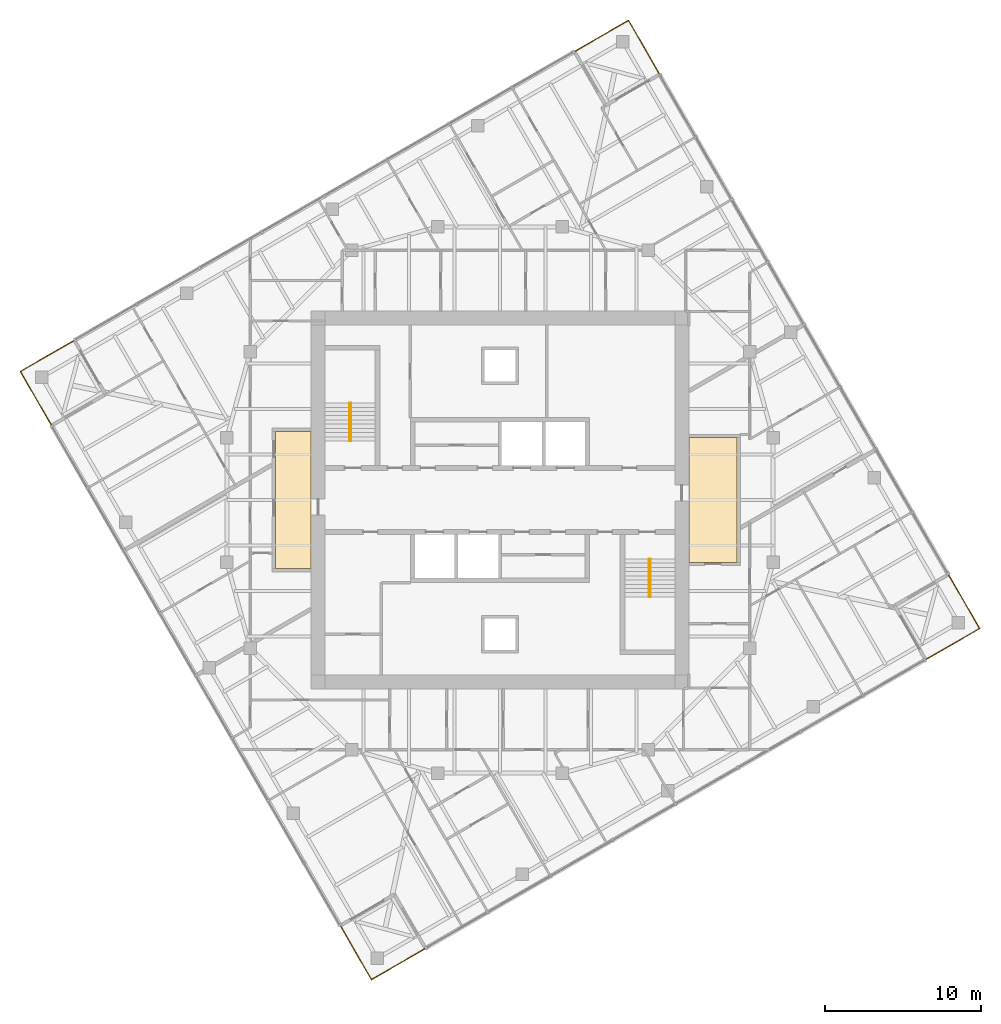
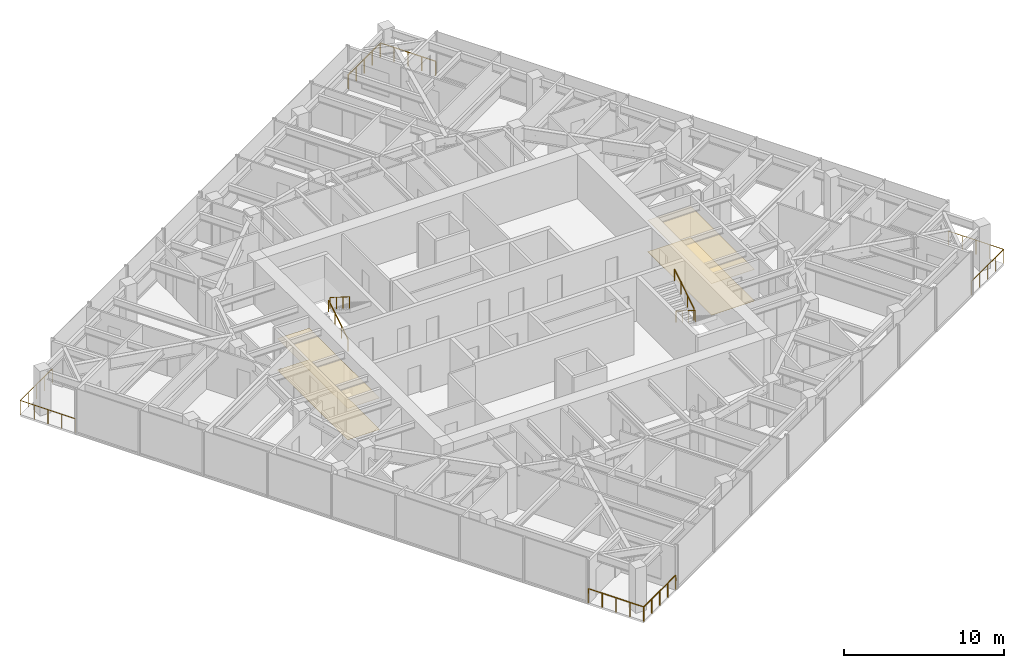
# One storey, part 12 of 12: 8 railings, 4 coverings, 2 elements without a shape of their own.
"""IFC4 building model written with IfcOpenShell, lengths in metres."""

from ifc_helpers import new_model, si_unit, direction, frame, origin, origin_2d, place, context, subcontext, project, spatial, polyline, circle, outline, extrude, material, layer, layer_set, type_object, element, aggregate, save


model = new_model("IFC4")

# Units and contexts
model_context = context("Model", 3, precision=1e-05, world=origin(), true_north=direction((0.0, 1.0)))
body_context = subcontext(model_context, "Body", "Model", "MODEL_VIEW")
ifc_project = project(units=[si_unit("LENGTHUNIT", "METRE"), si_unit("AREAUNIT", "SQUARE_METRE"), si_unit("VOLUMEUNIT", "CUBIC_METRE"), si_unit("PLANEANGLEUNIT", "RADIAN"), si_unit("MASSUNIT", "GRAM", prefix="KILO")], contexts=[model_context])

# Site, building, storey
site_placement = place(None, origin())
site = spatial("IfcSite", under=ifc_project, at=site_placement, CompositionType="ELEMENT")
building_placement = place(site_placement, origin())
building = spatial("IfcBuilding", under=site, at=building_placement, Name="Torsade Residences", CompositionType="ELEMENT")
storey_placement = place(building_placement, frame((0.0, 0.0, 221.800048828125)))
storey = spatial("IfcBuildingStorey", under=building, at=storey_placement, Name="L61", CompositionType="ELEMENT", Elevation=221.800048828125)

# Coverings
ifc_material_1 = material(Name="Nylon carpet tile on underlay", Category="textile")
ifc_layer_1 = layer(ifc_material_1, 0.010009765625)
ifc_layer_set_1 = layer_set([ifc_layer_1], Name="Nylon carpet tile on underlay")
covering_type_1 = type_object("IfcCoveringType", Name="CORRIDOR CARPET TILE 10", PredefinedType="FLOORING", material=ifc_layer_set_1)
covering_1_placement = place(storey_placement, origin())
element("IfcCovering", 1, at=covering_1_placement, inside=storey, type_object=covering_type_1, Name="Corridor carpet L61", PredefinedType="FLOORING", context=body_context, shape_type="SweptSolid", body=[
    extrude(outline(polyline([(55.199951171875, 26.0), (55.199951171875, 34.0), (52.10009765625, 34.0), (52.10009765625, 26.0), (55.199951171875, 26.0)])), origin(), (0.0, 0.0, 1.0), 0.010009765625),
])
covering_2_placement = place(storey_placement, origin())
element("IfcCovering", 2, at=covering_2_placement, inside=storey, type_object=covering_type_1, Name="Corridor carpet west L61", PredefinedType="FLOORING", context=body_context, shape_type="SweptSolid", body=[
    extrude(outline(polyline([(27.89990234375, 25.60009765625), (27.89990234375, 34.39990234375), (25.60009765625, 34.39990234375), (25.60009765625, 25.60009765625), (27.89990234375, 25.60009765625)])), origin(), (0.0, 0.0, 1.0), 0.010009765625),
])
ifc_material_2 = material(Name="Plasterboard on suspended steel grid", Category="steel")
ifc_layer_2 = layer(ifc_material_2, 0.012939453125)
ifc_layer_set_2 = layer_set([ifc_layer_2], Name="Plasterboard on suspended steel grid")
covering_type_2 = type_object("IfcCoveringType", Name="CORRIDOR SUSPENDED CEILING 13", PredefinedType="CEILING", material=ifc_layer_set_2)
covering_3_placement = place(storey_placement, frame((0.0, 0.0, 2.39990234375)))
element("IfcCovering", 3, at=covering_3_placement, inside=storey, type_object=covering_type_2, Name="Corridor ceiling L61", PredefinedType="CEILING", context=body_context, shape_type="SweptSolid", body=[
    extrude(outline(polyline([(55.199951171875, 26.0), (55.199951171875, 34.0), (52.10009765625, 34.0), (52.10009765625, 26.0), (55.199951171875, 26.0)])), origin(), (0.0, 0.0, 1.0), 0.012939453125),
])
covering_4_placement = place(storey_placement, frame((0.0, 0.0, 2.39990234375)))
element("IfcCovering", 4, at=covering_4_placement, inside=storey, type_object=covering_type_2, Name="Corridor ceiling west L61", PredefinedType="CEILING", context=body_context, shape_type="SweptSolid", body=[
    extrude(outline(polyline([(27.89990234375, 25.60009765625), (27.89990234375, 34.39990234375), (25.60009765625, 34.39990234375), (25.60009765625, 25.60009765625), (27.89990234375, 25.60009765625)])), origin(), (0.0, 0.0, 1.0), 0.012939453125),
])

# Stair, railings
ifc_material_3 = material(Name="Precast concrete 40 MPa", Category="concrete")
stair_type = type_object("IfcStairType", Name="HALF-TURN FIRE STAIR 1500x3400", PredefinedType="HALF_TURN_STAIR", material=ifc_material_3)
stair_1_placement = place(storey_placement, origin())
stair_1 = element("IfcStair", 5, at=stair_1_placement, inside=storey, type_object=stair_type, Name="Stair ST1 L61", PredefinedType="HALF_TURN_STAIR")
ifc_material_4 = material(Name="Steel handrail", Category="steel")
railing_type_1 = type_object("IfcRailingType", Name="STAIR HANDRAIL 900", PredefinedType="HANDRAIL", material=ifc_material_4)
railing_1_placement = place(storey_placement, frame((30.35009765625, 33.780029296875, 0.169921875)))
railing_1 = element("IfcRailing", 6, at=railing_1_placement, type_object=railing_type_1, Name="Handrail ST1 flight 1 L61", PredefinedType="HANDRAIL", context=body_context, shape_type="SweptSolid", body=[
    extrude(circle(Radius=0.02392578125, at=origin_2d()), frame((0.0, 0.0, 0.8759765625), z_axis=(0.0, 0.846221481393, 0.532831309544), x_axis=(-1.0, 0.0, 0.0)), (0.0, 0.0, 1.0), 2.87158203125),
    extrude(circle(Radius=0.02099609375, at=origin_2d()), origin(), (0.0, 0.0, 1.0), 0.851806640625),
    extrude(circle(Radius=0.02099609375, at=origin_2d()), frame((0.0, 0.81005859375, 0.510009765625)), (0.0, 0.0, 1.0), 0.851806640625),
    extrude(circle(Radius=0.02099609375, at=origin_2d()), frame((0.0, 1.619873046875, 1.02001953125)), (0.0, 0.0, 1.0), 0.851806640625),
    extrude(circle(Radius=0.02099609375, at=origin_2d()), frame((0.0, 2.429931640625, 1.530029296875)), (0.0, 0.0, 1.0), 0.851806640625),
])
railing_2_placement = place(storey_placement, frame((30.449951171875, 36.2099609375, 1.869873046875)))
railing_2 = element("IfcRailing", 7, at=railing_2_placement, type_object=railing_type_1, Name="Handrail ST1 flight 2 L61", PredefinedType="HANDRAIL", context=body_context, shape_type="SweptSolid", body=[
    extrude(circle(Radius=0.02392578125, at=origin_2d()), frame((0.0, 0.0, 0.8759765625), z_axis=(0.0, -0.846221481393, 0.532831309544), x_axis=(1.0, 0.0, 0.0)), (0.0, 0.0, 1.0), 2.87158203125),
    extrude(circle(Radius=0.02099609375, at=origin_2d()), origin(), (0.0, 0.0, 1.0), 0.851806640625),
    extrude(circle(Radius=0.02099609375, at=origin_2d()), frame((0.0, -0.81005859375, 0.510009765625)), (0.0, 0.0, 1.0), 0.851806640625),
    extrude(circle(Radius=0.02099609375, at=origin_2d()), frame((0.0, -1.619873046875, 1.02001953125)), (0.0, 0.0, 1.0), 0.851806640625),
    extrude(circle(Radius=0.02099609375, at=origin_2d()), frame((0.0, -2.429931640625, 1.530029296875)), (0.0, 0.0, 1.0), 0.851806640625),
])
aggregate(stair_1, [railing_1, railing_2])

stair_2_placement = place(storey_placement, origin())
stair_2 = element("IfcStair", 8, at=stair_2_placement, inside=storey, type_object=stair_type, Name="Stair ST2 L61", PredefinedType="HALF_TURN_STAIR")
railing_3_placement = place(storey_placement, frame((49.64990234375, 26.219970703125, 0.169921875)))
railing_3 = element("IfcRailing", 9, at=railing_3_placement, type_object=railing_type_1, Name="Handrail ST2 flight 1 L61", PredefinedType="HANDRAIL", context=body_context, shape_type="SweptSolid", body=[
    extrude(circle(Radius=0.02392578125, at=origin_2d()), frame((0.0, 0.0, 0.8759765625), z_axis=(0.0, -0.846221481393, 0.532831309544), x_axis=(1.0, 0.0, 0.0)), (0.0, 0.0, 1.0), 2.87158203125),
    extrude(circle(Radius=0.02099609375, at=origin_2d()), origin(), (0.0, 0.0, 1.0), 0.851806640625),
    extrude(circle(Radius=0.02099609375, at=origin_2d()), frame((0.0, -0.81005859375, 0.510009765625)), (0.0, 0.0, 1.0), 0.851806640625),
    extrude(circle(Radius=0.02099609375, at=origin_2d()), frame((0.0, -1.619873046875, 1.02001953125)), (0.0, 0.0, 1.0), 0.851806640625),
    extrude(circle(Radius=0.02099609375, at=origin_2d()), frame((0.0, -2.429931640625, 1.530029296875)), (0.0, 0.0, 1.0), 0.851806640625),
])
railing_4_placement = place(storey_placement, frame((49.550048828125, 23.7900390625, 1.869873046875)))
railing_4 = element("IfcRailing", 10, at=railing_4_placement, type_object=railing_type_1, Name="Handrail ST2 flight 2 L61", PredefinedType="HANDRAIL", context=body_context, shape_type="SweptSolid", body=[
    extrude(circle(Radius=0.02392578125, at=origin_2d()), frame((0.0, 0.0, 0.8759765625), z_axis=(0.0, 0.846221481393, 0.532831309544), x_axis=(-1.0, 0.0, 0.0)), (0.0, 0.0, 1.0), 2.87158203125),
    extrude(circle(Radius=0.02099609375, at=origin_2d()), origin(), (0.0, 0.0, 1.0), 0.851806640625),
    extrude(circle(Radius=0.02099609375, at=origin_2d()), frame((0.0, 0.81005859375, 0.510009765625)), (0.0, 0.0, 1.0), 0.851806640625),
    extrude(circle(Radius=0.02099609375, at=origin_2d()), frame((0.0, 1.619873046875, 1.02001953125)), (0.0, 0.0, 1.0), 0.851806640625),
    extrude(circle(Radius=0.02099609375, at=origin_2d()), frame((0.0, 2.429931640625, 1.530029296875)), (0.0, 0.0, 1.0), 0.851806640625),
])
aggregate(stair_2, [railing_3, railing_4])

# Railings
ifc_material_5 = material(Name="Laminated glass balustrade", Category="glass")
railing_type_2 = type_object("IfcRailingType", Name="TERRACE GLASS BALUSTRADE 1100", PredefinedType="BALUSTRADE", material=ifc_material_5)
railing_5_placement = place(storey_placement, frame((67.271484375, 19.764404296875, 0.0)))
element("IfcRailing", 11, at=railing_5_placement, inside=storey, type_object=railing_type_2, Name="Terrace balustrade SE L61", PredefinedType="BALUSTRADE", context=body_context, shape_type="SweptSolid", body=[
    extrude(circle(Radius=0.02392578125, at=origin_2d()), frame((0.0, 0.0, 1.076171875), z_axis=(0.866026010844, 0.49999894854, 0.0), x_axis=(-0.49999894854, 0.866026010844, 0.0)), (0.0, 0.0, 1.0), 4.0),
    extrude(circle(Radius=0.02392578125, at=origin_2d()), frame((3.464111328125, 2.0, 1.076171875), z_axis=(-0.49999894854, 0.866026010844, 0.0), x_axis=(-0.866026010844, -0.49999894854, 0.0)), (0.0, 0.0, 1.0), 4.0),
    extrude(circle(Radius=0.02099609375, at=origin_2d()), origin(), (0.0, 0.0, 1.0), 1.052001953125),
    extrude(circle(Radius=0.02099609375, at=origin_2d()), frame((0.865966796875, 0.5, 0.0)), (0.0, 0.0, 1.0), 1.052001953125),
    extrude(circle(Radius=0.02099609375, at=origin_2d()), frame((1.73193359375, 1.0, 0.0)), (0.0, 0.0, 1.0), 1.052001953125),
    extrude(circle(Radius=0.02099609375, at=origin_2d()), frame((2.59814453125, 1.5, 0.0)), (0.0, 0.0, 1.0), 1.052001953125),
    extrude(circle(Radius=0.02099609375, at=origin_2d()), frame((3.464111328125, 2.0, 0.0)), (0.0, 0.0, 1.0), 1.052001953125),
    extrude(circle(Radius=0.02099609375, at=origin_2d()), frame((2.964111328125, 2.865966796875, 0.0)), (0.0, 0.0, 1.0), 1.052001953125),
    extrude(circle(Radius=0.02099609375, at=origin_2d()), frame((2.464111328125, 3.73193359375, 0.0)), (0.0, 0.0, 1.0), 1.052001953125),
    extrude(circle(Radius=0.02099609375, at=origin_2d()), frame((1.964111328125, 4.59814453125, 0.0)), (0.0, 0.0, 1.0), 1.052001953125),
    extrude(circle(Radius=0.02099609375, at=origin_2d()), frame((1.464111328125, 5.464111328125, 0.0)), (0.0, 0.0, 1.0), 1.052001953125),
])
railing_6_placement = place(storey_placement, frame((50.235595703125, 57.271484375, 0.0)))
element("IfcRailing", 12, at=railing_6_placement, inside=storey, type_object=railing_type_2, Name="Terrace balustrade NE L61", PredefinedType="BALUSTRADE", context=body_context, shape_type="SweptSolid", body=[
    extrude(circle(Radius=0.02392578125, at=origin_2d()), frame((0.0, 0.0, 1.076171875), z_axis=(-0.49999894854, 0.866026010844, 0.0), x_axis=(-0.866026010844, -0.49999894854, 0.0)), (0.0, 0.0, 1.0), 4.0),
    extrude(circle(Radius=0.02392578125, at=origin_2d()), frame((-2.0, 3.464111328125, 1.076171875), z_axis=(-0.866026010844, -0.49999894854, 0.0), x_axis=(0.49999894854, -0.866026010844, 0.0)), (0.0, 0.0, 1.0), 4.0),
    extrude(circle(Radius=0.02099609375, at=origin_2d()), origin(), (0.0, 0.0, 1.0), 1.052001953125),
    extrude(circle(Radius=0.02099609375, at=origin_2d()), frame((-0.5, 0.865966796875, 0.0)), (0.0, 0.0, 1.0), 1.052001953125),
    extrude(circle(Radius=0.02099609375, at=origin_2d()), frame((-1.0, 1.73193359375, 0.0)), (0.0, 0.0, 1.0), 1.052001953125),
    extrude(circle(Radius=0.02099609375, at=origin_2d()), frame((-1.5, 2.59814453125, 0.0)), (0.0, 0.0, 1.0), 1.052001953125),
    extrude(circle(Radius=0.02099609375, at=origin_2d()), frame((-2.0, 3.464111328125, 0.0)), (0.0, 0.0, 1.0), 1.052001953125),
    extrude(circle(Radius=0.02099609375, at=origin_2d()), frame((-2.865966796875, 2.964111328125, 0.0)), (0.0, 0.0, 1.0), 1.052001953125),
    extrude(circle(Radius=0.02099609375, at=origin_2d()), frame((-3.73193359375, 2.464111328125, 0.0)), (0.0, 0.0, 1.0), 1.052001953125),
    extrude(circle(Radius=0.02099609375, at=origin_2d()), frame((-4.59814453125, 1.964111328125, 0.0)), (0.0, 0.0, 1.0), 1.052001953125),
    extrude(circle(Radius=0.02099609375, at=origin_2d()), frame((-5.464111328125, 1.464111328125, 0.0)), (0.0, 0.0, 1.0), 1.052001953125),
])
railing_7_placement = place(storey_placement, frame((12.728515625, 40.235595703125, 0.0)))
element("IfcRailing", 13, at=railing_7_placement, inside=storey, type_object=railing_type_2, Name="Terrace balustrade NW L61", PredefinedType="BALUSTRADE", context=body_context, shape_type="SweptSolid", body=[
    extrude(circle(Radius=0.02392578125, at=origin_2d()), frame((0.0, 0.0, 1.076171875), z_axis=(-0.866026010844, -0.49999894854, 0.0), x_axis=(0.49999894854, -0.866026010844, 0.0)), (0.0, 0.0, 1.0), 4.0),
    extrude(circle(Radius=0.02392578125, at=origin_2d()), frame((-3.464111328125, -2.0, 1.076171875), z_axis=(0.49999894854, -0.866026010844, 0.0), x_axis=(0.866026010844, 0.49999894854, 0.0)), (0.0, 0.0, 1.0), 4.0),
    extrude(circle(Radius=0.02099609375, at=origin_2d()), origin(), (0.0, 0.0, 1.0), 1.052001953125),
    extrude(circle(Radius=0.02099609375, at=origin_2d()), frame((-0.865966796875, -0.5, 0.0)), (0.0, 0.0, 1.0), 1.052001953125),
    extrude(circle(Radius=0.02099609375, at=origin_2d()), frame((-1.73193359375, -1.0, 0.0)), (0.0, 0.0, 1.0), 1.052001953125),
    extrude(circle(Radius=0.02099609375, at=origin_2d()), frame((-2.59814453125, -1.5, 0.0)), (0.0, 0.0, 1.0), 1.052001953125),
    extrude(circle(Radius=0.02099609375, at=origin_2d()), frame((-3.464111328125, -2.0, 0.0)), (0.0, 0.0, 1.0), 1.052001953125),
    extrude(circle(Radius=0.02099609375, at=origin_2d()), frame((-2.964111328125, -2.865966796875, 0.0)), (0.0, 0.0, 1.0), 1.052001953125),
    extrude(circle(Radius=0.02099609375, at=origin_2d()), frame((-2.464111328125, -3.73193359375, 0.0)), (0.0, 0.0, 1.0), 1.052001953125),
    extrude(circle(Radius=0.02099609375, at=origin_2d()), frame((-1.964111328125, -4.59814453125, 0.0)), (0.0, 0.0, 1.0), 1.052001953125),
    extrude(circle(Radius=0.02099609375, at=origin_2d()), frame((-1.464111328125, -5.464111328125, 0.0)), (0.0, 0.0, 1.0), 1.052001953125),
])
railing_8_placement = place(storey_placement, frame((29.764404296875, 2.728515625, 0.0)))
element("IfcRailing", 14, at=railing_8_placement, inside=storey, type_object=railing_type_2, Name="Terrace balustrade SW L61", PredefinedType="BALUSTRADE", context=body_context, shape_type="SweptSolid", body=[
    extrude(circle(Radius=0.02392578125, at=origin_2d()), frame((0.0, 0.0, 1.076171875), z_axis=(0.49999894854, -0.866026010844, 0.0), x_axis=(0.866026010844, 0.49999894854, 0.0)), (0.0, 0.0, 1.0), 4.0),
    extrude(circle(Radius=0.02392578125, at=origin_2d()), frame((2.0, -3.464111328125, 1.076171875), z_axis=(0.866026010844, 0.49999894854, 0.0), x_axis=(-0.49999894854, 0.866026010844, 0.0)), (0.0, 0.0, 1.0), 4.0),
    extrude(circle(Radius=0.02099609375, at=origin_2d()), origin(), (0.0, 0.0, 1.0), 1.052001953125),
    extrude(circle(Radius=0.02099609375, at=origin_2d()), frame((0.5, -0.865966796875, 0.0)), (0.0, 0.0, 1.0), 1.052001953125),
    extrude(circle(Radius=0.02099609375, at=origin_2d()), frame((1.0, -1.73193359375, 0.0)), (0.0, 0.0, 1.0), 1.052001953125),
    extrude(circle(Radius=0.02099609375, at=origin_2d()), frame((1.5, -2.59814453125, 0.0)), (0.0, 0.0, 1.0), 1.052001953125),
    extrude(circle(Radius=0.02099609375, at=origin_2d()), frame((2.0, -3.464111328125, 0.0)), (0.0, 0.0, 1.0), 1.052001953125),
    extrude(circle(Radius=0.02099609375, at=origin_2d()), frame((2.865966796875, -2.964111328125, 0.0)), (0.0, 0.0, 1.0), 1.052001953125),
    extrude(circle(Radius=0.02099609375, at=origin_2d()), frame((3.73193359375, -2.464111328125, 0.0)), (0.0, 0.0, 1.0), 1.052001953125),
    extrude(circle(Radius=0.02099609375, at=origin_2d()), frame((4.59814453125, -1.964111328125, 0.0)), (0.0, 0.0, 1.0), 1.052001953125),
    extrude(circle(Radius=0.02099609375, at=origin_2d()), frame((5.464111328125, -1.464111328125, 0.0)), (0.0, 0.0, 1.0), 1.052001953125),
])

save(model, "model.ifc")
